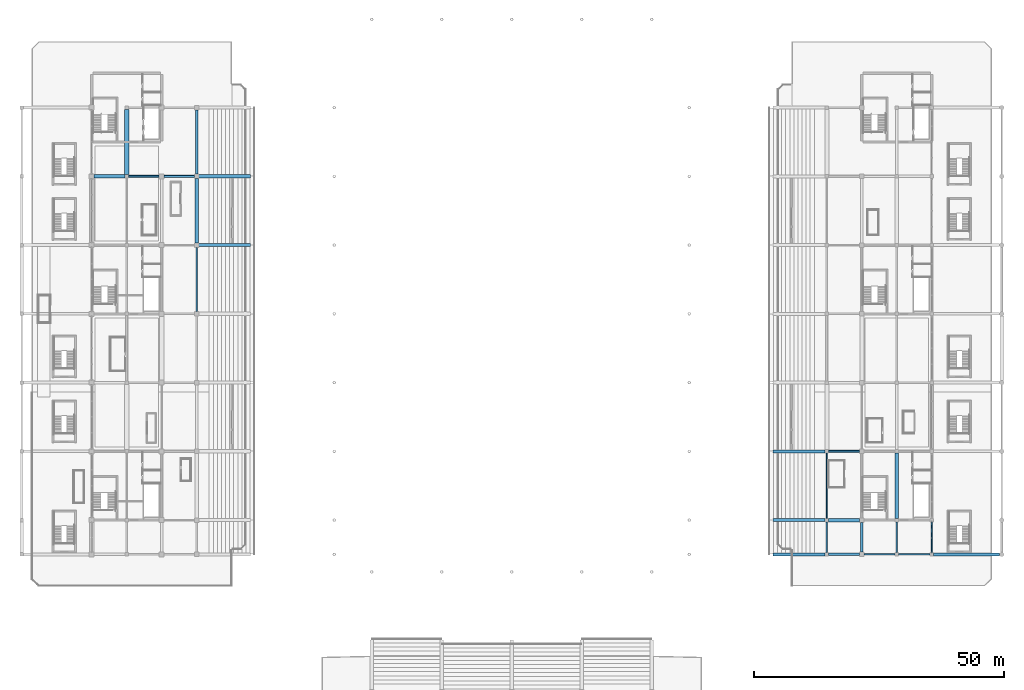
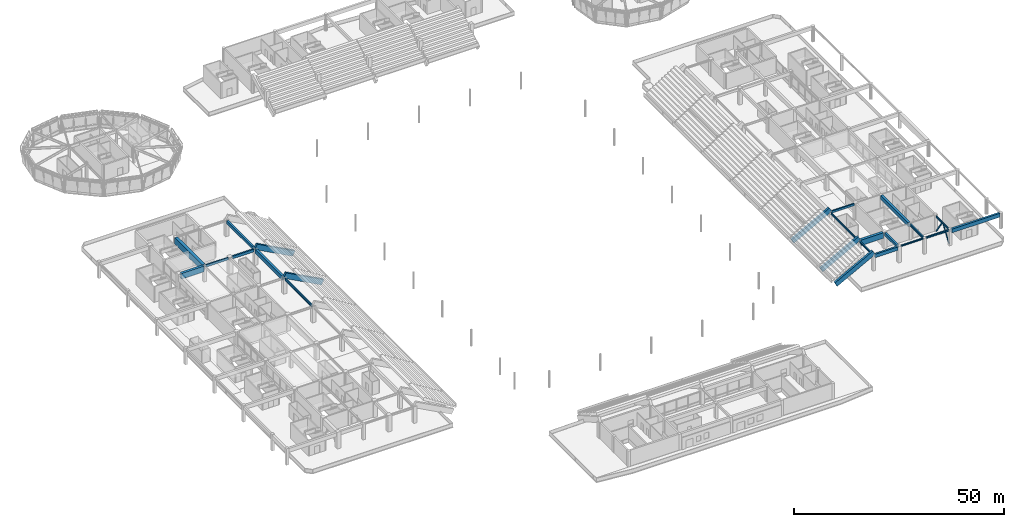
# One storey, part 32 of 94: 24 beams, 2 members.
"""IFC4 building model written with IfcOpenShell, lengths in metres."""

from ifc_helpers import new_model, si_unit, direction, frame, origin, origin_2d, place, context, subcontext, project, spatial, rectangle, hollow_rectangle, i_section, extrude, material, material_profile, profile_set, type_object, element, save


model = new_model("IFC4")

# Units and contexts
model_context = context("Model", 3, precision=1e-05, world=origin(), true_north=direction((0.0, 1.0)))
body_context = subcontext(model_context, "Body", "Model", "MODEL_VIEW")
ifc_project = project(units=[si_unit("LENGTHUNIT", "METRE"), si_unit("AREAUNIT", "SQUARE_METRE"), si_unit("VOLUMEUNIT", "CUBIC_METRE"), si_unit("PLANEANGLEUNIT", "RADIAN"), si_unit("MASSUNIT", "GRAM", prefix="KILO")], contexts=[model_context])

# Site, building, storey
site_placement = place(None, origin())
site = spatial("IfcSite", under=ifc_project, at=site_placement, CompositionType="ELEMENT")
building_placement = place(site_placement, origin())
building = spatial("IfcBuilding", under=site, at=building_placement, Name="Linyun Crest Stadium", CompositionType="ELEMENT")
storey_placement = place(building_placement, frame((0.0, 0.0, 16.199951171875)))
storey = spatial("IfcBuildingStorey", under=building, at=storey_placement, Name="L04", CompositionType="ELEMENT", Elevation=16.199951171875)

# Beams
ifc_material_1 = material(Name="Concrete C40", Category="concrete")
ifc_material_profile_1 = material_profile(ifc_material_1, rectangle(XDim=0.35009765625, YDim=0.60009765625, at=origin_2d()), Name="RCB 600x350")
ifc_profile_set_1 = profile_set([ifc_material_profile_1], Name="Concrete C40")
beam_type_1 = type_object("IfcBeamType", Name="B01", PredefinedType="BEAM", material=ifc_profile_set_1)
beam_1_placement = place(storey_placement, frame((-76.64990234375, 29.625, 4.300048828125), z_axis=(1.0, 0.0, 0.0), x_axis=(0.0, 1.0, 0.0)))
element("IfcBeam", 1, at=beam_1_placement, inside=storey, type_object=beam_type_1, Name="Frame beam B01 L04 315", PredefinedType="BEAM", context=body_context, shape_type="SweptSolid", body=[
    extrude(rectangle(XDim=0.35009765625, YDim=0.60009765625, at=origin_2d()), origin(), (0.0, 0.0, 1.0), 6.14990234375),
])
beam_2_placement = place(storey_placement, frame((63.35009765625, -25.375, 4.300048828125), z_axis=(1.0, 0.0, 0.0), x_axis=(0.0, 1.0, 0.0)))
element("IfcBeam", 2, at=beam_2_placement, inside=storey, type_object=beam_type_1, Name="Frame beam B01 L04 683", PredefinedType="BEAM", context=body_context, shape_type="SweptSolid", body=[
    extrude(rectangle(XDim=0.35009765625, YDim=0.60009765625, at=origin_2d()), origin(), (0.0, 0.0, 1.0), 6.199951171875),
])
ifc_material_2 = material(Name="Concrete C40", Category="concrete")
ifc_material_profile_2 = material_profile(ifc_material_2, rectangle(XDim=0.39990234375, YDim=0.75, at=origin_2d()), Name="RCB 750x400")
ifc_profile_set_2 = profile_set([ifc_material_profile_2], Name="Concrete C40")
beam_type_2 = type_object("IfcBeamType", Name="B03", PredefinedType="BEAM", material=ifc_profile_set_2)
beam_3_placement = place(storey_placement, frame((-69.5, 29.625, 4.22509765625), z_axis=(1.0, 0.0, 0.0), x_axis=(0.0, 1.0, 0.0)))
element("IfcBeam", 3, at=beam_3_placement, inside=storey, type_object=beam_type_2, Name="Frame beam B03 L04 316", PredefinedType="BEAM", context=body_context, shape_type="SweptSolid", body=[
    extrude(rectangle(XDim=0.39990234375, YDim=0.75, at=origin_2d()), origin(), (0.0, 0.0, 1.0), 6.050048828125),
])
ifc_material_3 = material(Name="Concrete C40", Category="concrete")
ifc_material_profile_3 = material_profile(ifc_material_3, rectangle(XDim=0.449951171875, YDim=0.85009765625, at=origin_2d()), Name="RCB 850x450")
ifc_profile_set_3 = profile_set([ifc_material_profile_3], Name="Concrete C40")
beam_type_3 = type_object("IfcBeamType", Name="B04", PredefinedType="BEAM", material=ifc_profile_set_3)
beam_4_placement = place(storey_placement, frame((-63.0, 30.074951171875, 4.175048828125), z_axis=(0.0, 1.0, 0.0), x_axis=(-1.0, 0.0, 0.0)))
element("IfcBeam", 4, at=beam_4_placement, inside=storey, type_object=beam_type_3, Name="Frame beam B04 L04 348", PredefinedType="BEAM", context=body_context, shape_type="SweptSolid", body=[
    extrude(rectangle(XDim=0.449951171875, YDim=0.85009765625, at=origin_2d()), origin(), (0.0, 0.0, 1.0), 12.85009765625),
])
beam_5_placement = place(storey_placement, frame((70.0, -45.550048828125, 4.175048828125), z_axis=(0.0, 1.0, 0.0), x_axis=(-1.0, 0.0, 0.0)))
element("IfcBeam", 5, at=beam_5_placement, inside=storey, type_object=beam_type_3, Name="Frame beam B04 L04 706", PredefinedType="BEAM", context=body_context, shape_type="SweptSolid", body=[
    extrude(rectangle(XDim=0.449951171875, YDim=0.85009765625, at=origin_2d()), origin(), (0.0, 0.0, 1.0), 5.97509765625),
])
ifc_material_4 = material(Name="Concrete C40", Category="concrete")
ifc_material_profile_4 = material_profile(ifc_material_4, rectangle(XDim=0.5, YDim=1.0, at=origin_2d()), Name="RCB 1000x500")
ifc_profile_set_4 = profile_set([ifc_material_profile_4], Name="Concrete C40")
beam_type_4 = type_object("IfcBeamType", Name="B05", PredefinedType="BEAM", material=ifc_profile_set_4)
beam_6_placement = place(storey_placement, frame((63.35009765625, -46.0, 4.10009765625), z_axis=(1.0, 0.0, 0.0), x_axis=(0.0, 1.0, 0.0)))
element("IfcBeam", 6, at=beam_6_placement, inside=storey, type_object=beam_type_4, Name="Frame beam B05 L04 678", PredefinedType="BEAM", context=body_context, shape_type="SweptSolid", body=[
    extrude(rectangle(XDim=0.5, YDim=1.0, at=origin_2d()), origin(), (0.0, 0.0, 1.0), 6.199951171875),
])
ifc_material_5 = material(Name="Steel Q355C", Category="steel")
ifc_material_profile_5 = material_profile(ifc_material_5, i_section(OverallWidth=0.300048828125, OverallDepth=0.389892578125, WebThickness=0.010009765625, FlangeThickness=0.01611328125, at=origin_2d()), Name="HM 390x300")
ifc_profile_set_5 = profile_set([ifc_material_profile_5], Name="Steel Q355C")
beam_type_5 = type_object("IfcBeamType", Name="B06", PredefinedType="BEAM", material=ifc_profile_set_5)
beam_7_placement = place(storey_placement, frame((70.449951171875, -46.0, 4.405029296875), z_axis=(1.0, 0.0, 0.0), x_axis=(0.0, 1.0, 0.0)))
element("IfcBeam", 7, at=beam_7_placement, inside=storey, type_object=beam_type_5, Name="Frame beam B06 L04 679", PredefinedType="BEAM", context=body_context, shape_type="SweptSolid", body=[
    extrude(i_section(OverallWidth=0.300048828125, OverallDepth=0.389892578125, WebThickness=0.010009765625, FlangeThickness=0.01611328125, at=origin_2d()), origin(), (0.0, 0.0, 1.0), 6.199951171875),
])
ifc_material_6 = material(Name="Steel Q355C", Category="steel")
ifc_material_profile_6 = material_profile(ifc_material_6, i_section(OverallWidth=0.300048828125, OverallDepth=0.43994140625, WebThickness=0.010986328125, FlangeThickness=0.01806640625, at=origin_2d()), Name="HM 440x300")
ifc_profile_set_6 = profile_set([ifc_material_profile_6], Name="Steel Q355C")
beam_type_6 = type_object("IfcBeamType", Name="B07", PredefinedType="BEAM", material=ifc_profile_set_6)
beam_8_placement = place(storey_placement, frame((63.0, -45.64990234375, 4.380126953125), z_axis=(0.0, 1.0, 0.0), x_axis=(-1.0, 0.0, 0.0)))
element("IfcBeam", 8, at=beam_8_placement, inside=storey, type_object=beam_type_6, Name="Frame beam B07 L04 699", PredefinedType="BEAM", context=body_context, shape_type="SweptSolid", body=[
    extrude(i_section(OverallWidth=0.300048828125, OverallDepth=0.43994140625, WebThickness=0.010986328125, FlangeThickness=0.01806640625, at=origin_2d()), origin(), (0.0, 0.0, 1.0), 6.1748046875),
])
ifc_material_7 = material(Name="Steel Q355C", Category="steel")
ifc_material_profile_7 = material_profile(ifc_material_7, i_section(OverallWidth=0.300048828125, OverallDepth=0.488037109375, WebThickness=0.010986328125, FlangeThickness=0.01806640625, at=origin_2d()), Name="HM 488x300")
ifc_profile_set_7 = profile_set([ifc_material_profile_7], Name="Steel Q355C")
beam_type_7 = type_object("IfcBeamType", Name="B08", PredefinedType="BEAM", material=ifc_profile_set_7)
beam_9_placement = place(storey_placement, frame((77.35009765625, -46.0, 4.35595703125), z_axis=(1.0, 0.0, 0.0), x_axis=(0.0, 1.0, 0.0)))
element("IfcBeam", 9, at=beam_9_placement, inside=storey, type_object=beam_type_7, Name="Frame beam B08 L04 680", PredefinedType="BEAM", context=body_context, shape_type="SweptSolid", body=[
    extrude(i_section(OverallWidth=0.300048828125, OverallDepth=0.488037109375, WebThickness=0.010986328125, FlangeThickness=0.01806640625, at=origin_2d()), origin(), (0.0, 0.0, 1.0), 6.2998046875),
])
ifc_material_8 = material(Name="Steel Q355C", Category="steel")
ifc_material_profile_8 = material_profile(ifc_material_8, i_section(OverallWidth=0.199951171875, OverallDepth=0.60009765625, WebThickness=0.010986328125, FlangeThickness=0.01708984375, at=origin_2d()), Name="HN 600x200")
ifc_profile_set_8 = profile_set([ifc_material_profile_8], Name="Steel Q355C")
beam_type_8 = type_object("IfcBeamType", Name="B11", PredefinedType="BEAM", material=ifc_profile_set_8)
beam_10_placement = place(storey_placement, frame((63.0, -38.77490234375, 4.300048828125), z_axis=(0.0, 1.0, 0.0), x_axis=(-1.0, 0.0, 0.0)))
element("IfcBeam", 10, at=beam_10_placement, inside=storey, type_object=beam_type_8, Name="Frame beam B11 L04 700", PredefinedType="BEAM", context=body_context, shape_type="SweptSolid", body=[
    extrude(i_section(OverallWidth=0.199951171875, OverallDepth=0.60009765625, WebThickness=0.010986328125, FlangeThickness=0.01708984375, at=origin_2d()), origin(), (0.0, 0.0, 1.0), 13.0498046875),
])
beam_11_placement = place(storey_placement, frame((84.0, -45.64990234375, 4.300048828125), z_axis=(0.0, 1.0, 0.0), x_axis=(-1.0, 0.0, 0.0)))
element("IfcBeam", 11, at=beam_11_placement, inside=storey, type_object=beam_type_8, Name="Frame beam B11 L04 717", PredefinedType="BEAM", context=body_context, shape_type="SweptSolid", body=[
    extrude(i_section(OverallWidth=0.199951171875, OverallDepth=0.60009765625, WebThickness=0.010986328125, FlangeThickness=0.01708984375, at=origin_2d()), origin(), (0.0, 0.0, 1.0), 6.1748046875),
])
ifc_material_9 = material(Name="Steel Q355C", Category="steel")
ifc_material_profile_9 = material_profile(ifc_material_9, i_section(OverallWidth=0.300048828125, OverallDepth=0.699951171875, WebThickness=0.012939453125, FlangeThickness=0.02392578125, at=origin_2d()), Name="HN 700x300")
ifc_profile_set_9 = profile_set([ifc_material_profile_9], Name="Steel Q355C")
beam_type_9 = type_object("IfcBeamType", Name="B12", PredefinedType="BEAM", material=ifc_profile_set_9)
beam_12_placement = place(storey_placement, frame((-63.0, 2.574951171875, 4.25), z_axis=(0.0, 1.0, 0.0), x_axis=(-1.0, 0.0, 0.0)))
element("IfcBeam", 12, at=beam_12_placement, inside=storey, type_object=beam_type_9, Name="Frame beam B12 L04 346", PredefinedType="BEAM", context=body_context, shape_type="SweptSolid", body=[
    extrude(i_section(OverallWidth=0.300048828125, OverallDepth=0.699951171875, WebThickness=0.012939453125, FlangeThickness=0.02392578125, at=origin_2d()), origin(), (0.0, 0.0, 1.0), 12.85009765625),
])
beam_13_placement = place(storey_placement, frame((77.0, -45.64990234375, 4.25), z_axis=(0.0, 1.0, 0.0), x_axis=(-1.0, 0.0, 0.0)))
element("IfcBeam", 13, at=beam_13_placement, inside=storey, type_object=beam_type_9, Name="Frame beam B12 L04 710", PredefinedType="BEAM", context=body_context, shape_type="SweptSolid", body=[
    extrude(i_section(OverallWidth=0.300048828125, OverallDepth=0.699951171875, WebThickness=0.012939453125, FlangeThickness=0.02392578125, at=origin_2d()), origin(), (0.0, 0.0, 1.0), 6.1748046875),
])
ifc_material_10 = material(Name="Concrete C50", Category="concrete")
ifc_material_profile_10 = material_profile(ifc_material_10, rectangle(XDim=0.699951171875, YDim=1.60009765625, at=origin_2d()), Name="RCB 1600x700")
ifc_profile_set_10 = profile_set([ifc_material_profile_10], Name="Concrete C50")
beam_type_10 = type_object("IfcBeamType", Name="B13", PredefinedType="BEAM", material=ifc_profile_set_10)
beam_14_placement = place(storey_placement, frame((-83.5, 29.625, 3.800048828125), z_axis=(1.0, 0.0, 0.0), x_axis=(0.0, 1.0, 0.0)))
element("IfcBeam", 14, at=beam_14_placement, inside=storey, type_object=beam_type_10, Name="Frame beam B13 L04 314", PredefinedType="BEAM", context=body_context, shape_type="SweptSolid", body=[
    extrude(rectangle(XDim=0.699951171875, YDim=1.60009765625, at=origin_2d()), origin(), (0.0, 0.0, 1.0), 6.14990234375),
])
beam_15_placement = place(storey_placement, frame((63.35009765625, -39.125, 3.800048828125), z_axis=(1.0, 0.0, 0.0), x_axis=(0.0, 1.0, 0.0)))
element("IfcBeam", 15, at=beam_15_placement, inside=storey, type_object=beam_type_10, Name="Frame beam B13 L04 682", PredefinedType="BEAM", context=body_context, shape_type="SweptSolid", body=[
    extrude(rectangle(XDim=0.699951171875, YDim=1.60009765625, at=origin_2d()), origin(), (0.0, 0.0, 1.0), 6.199951171875),
])
ifc_material_11 = material(Name="Concrete C50", Category="concrete")
ifc_material_profile_11 = material_profile(ifc_material_11, rectangle(XDim=0.800048828125, YDim=1.800048828125, at=origin_2d()), Name="RCB 1800x800")
ifc_profile_set_11 = profile_set([ifc_material_profile_11], Name="Concrete C50")
beam_type_11 = type_object("IfcBeamType", Name="B14", PredefinedType="BEAM", material=ifc_profile_set_11)
beam_16_placement = place(storey_placement, frame((-77.0, 29.97509765625, 3.699951171875), z_axis=(0.0, 1.0, 0.0), x_axis=(-1.0, 0.0, 0.0)))
element("IfcBeam", 16, at=beam_16_placement, inside=storey, type_object=beam_type_11, Name="Frame beam B14 L04 337", PredefinedType="BEAM", context=body_context, shape_type="SweptSolid", body=[
    extrude(rectangle(XDim=0.800048828125, YDim=1.800048828125, at=origin_2d()), origin(), (0.0, 0.0, 1.0), 13.0498046875),
])

# Members
ifc_material_12 = material(Name="Steel Q355C", Category="steel")
ifc_material_profile_12 = material_profile(ifc_material_12, hollow_rectangle(XDim=0.199951171875, YDim=0.300048828125, WallThickness=0.011962890625, at=origin_2d()), Name="RHS 300x200x12")
ifc_profile_set_12 = profile_set([ifc_material_profile_12], Name="Steel Q355C")
member_type = type_object("IfcMemberType", Name="BR03", PredefinedType="BRACE", material=ifc_profile_set_12)
member_1_placement = place(storey_placement, frame((84.0, -45.64990234375, 0.0), z_axis=(0.0, 0.562772683234, 0.826611702679), x_axis=(-1.0, 0.0, 0.0)))
element("IfcMember", 17, at=member_1_placement, inside=storey, type_object=member_type, Name="Frame brace BR03 L04 15", PredefinedType="BRACE", context=body_context, shape_type="SweptSolid", body=[
    extrude(hollow_rectangle(XDim=0.199951171875, YDim=0.300048828125, WallThickness=0.011962890625, at=origin_2d()), origin(), (0.0, 0.0, 1.0), 5.23828125),
])
member_2_placement = place(storey_placement, frame((84.0, -39.47509765625, 0.0), z_axis=(0.0, -0.562645280924, 0.826698426184), x_axis=(1.0, 0.0, 0.0)))
element("IfcMember", 18, at=member_2_placement, inside=storey, type_object=member_type, Name="Frame brace BR03 L04 16", PredefinedType="BRACE", context=body_context, shape_type="SweptSolid", body=[
    extrude(hollow_rectangle(XDim=0.199951171875, YDim=0.300048828125, WallThickness=0.011962890625, at=origin_2d()), origin(), (0.0, 0.0, 1.0), 5.23779296875),
])

# Beams
ifc_material_13 = material(Name="Precast concrete C50", Category="concrete")
ifc_material_profile_13 = material_profile(ifc_material_13, rectangle(XDim=0.60009765625, YDim=1.35009765625, at=origin_2d()), Name="PCR 1350x600")
ifc_profile_set_13 = profile_set([ifc_material_profile_13], Name="Precast concrete C50")
beam_type_12 = type_object("IfcBeamType", Name="RB03", PredefinedType="USERDEFINED", material=ifc_profile_set_13)
for number, where, z_axis, x_axis, name in (
    (19, (52.60009765625, -46.0, -0.39990234375), (0.88047441838, 0.0, 0.474093660134), (0.0, 1.0, 0.0), "Precast raker beam RB03 V2 7"),
    (20, (52.60009765625, -39.125, -0.39990234375), (0.88047441838, 0.0, 0.474093660134), (0.0, 1.0, 0.0), "Precast raker beam RB03 V2 15"),
    (21, (52.60009765625, -25.375, -0.39990234375), (0.88047441838, 0.0, 0.474093660134), (0.0, 1.0, 0.0), "Precast raker beam RB03 V2 23"),
):
    element("IfcBeam", number, at=place(storey_placement, frame(where, z_axis=z_axis, x_axis=x_axis)), inside=storey, type_object=beam_type_12, Name=name, ObjectType="RAKER", PredefinedType="USERDEFINED", context=body_context, shape_type="SweptSolid", body=[
        extrude(rectangle(XDim=0.60009765625, YDim=1.35009765625, at=origin_2d()), origin(), (0.0, 0.0, 1.0), 11.811767578125),
    ])
ifc_material_14 = material(Name="Precast concrete C50", Category="concrete")
ifc_material_profile_14 = material_profile(ifc_material_14, rectangle(XDim=0.64990234375, YDim=1.5, at=origin_2d()), Name="PCR 1500x650")
ifc_profile_set_14 = profile_set([ifc_material_profile_14], Name="Precast concrete C50")
beam_type_13 = type_object("IfcBeamType", Name="RB04", PredefinedType="USERDEFINED", material=ifc_profile_set_14)
for number, where, z_axis, x_axis, name in (
    (22, (-52.60009765625, 15.875, -0.39990234375), (-0.88047441838, 0.0, 0.474093660134), (0.0, -1.0, 0.0), "Precast raker beam RB04 V1 43"),
    (23, (-52.60009765625, 29.625, -0.39990234375), (-0.88047441838, 0.0, 0.474093660134), (0.0, -1.0, 0.0), "Precast raker beam RB04 V1 51"),
):
    element("IfcBeam", number, at=place(storey_placement, frame(where, z_axis=z_axis, x_axis=x_axis)), inside=storey, type_object=beam_type_13, Name=name, ObjectType="RAKER", PredefinedType="USERDEFINED", context=body_context, shape_type="SweptSolid", body=[
        extrude(rectangle(XDim=0.64990234375, YDim=1.5, at=origin_2d()), origin(), (0.0, 0.0, 1.0), 11.811767578125),
    ])
ifc_material_15 = material(Name="Concrete C50", Category="concrete")
ifc_material_profile_15 = material_profile(ifc_material_15, rectangle(XDim=0.550048828125, YDim=1.10009765625, at=origin_2d()), Name="RCB 1100x550")
ifc_profile_set_15 = profile_set([ifc_material_profile_15], Name="Concrete C50")
beam_type_14 = type_object("IfcBeamType", Name="TB01", PredefinedType="USERDEFINED", material=ifc_profile_set_15)
beam_17_placement = place(storey_placement, frame((84.35009765625, -46.0, 4.010009765625), z_axis=(1.0, 0.0, 0.0), x_axis=(0.0, 1.0, 0.0)))
element("IfcBeam", 24, at=beam_17_placement, inside=storey, type_object=beam_type_14, Name="Frame beam TB01 L04 681", ObjectType="GIRDER", PredefinedType="USERDEFINED", context=body_context, shape_type="SweptSolid", body=[
    extrude(rectangle(XDim=0.550048828125, YDim=1.10009765625, at=origin_2d()), origin(), (0.0, 0.0, 1.0), 13.199951171875),
])
ifc_material_16 = material(Name="Concrete C50", Category="concrete")
ifc_material_profile_16 = material_profile(ifc_material_16, rectangle(XDim=0.60009765625, YDim=1.199951171875, at=origin_2d()), Name="RCB 1200x600")
ifc_profile_set_16 = profile_set([ifc_material_profile_16], Name="Concrete C50")
beam_type_15 = type_object("IfcBeamType", Name="TB02", PredefinedType="USERDEFINED", material=ifc_profile_set_16)
beam_18_placement = place(storey_placement, frame((-63.0, 16.324951171875, 4.0), z_axis=(0.0, 1.0, 0.0), x_axis=(-1.0, 0.0, 0.0)))
element("IfcBeam", 25, at=beam_18_placement, inside=storey, type_object=beam_type_15, Name="Frame beam TB02 L04 347", ObjectType="GIRDER", PredefinedType="USERDEFINED", context=body_context, shape_type="SweptSolid", body=[
    extrude(rectangle(XDim=0.60009765625, YDim=1.199951171875, at=origin_2d()), origin(), (0.0, 0.0, 1.0), 12.85009765625),
])
beam_19_placement = place(storey_placement, frame((77.0, -38.77490234375, 4.0), z_axis=(0.0, 1.0, 0.0), x_axis=(-1.0, 0.0, 0.0)))
element("IfcBeam", 26, at=beam_19_placement, inside=storey, type_object=beam_type_15, Name="Frame beam TB02 L04 711", ObjectType="GIRDER", PredefinedType="USERDEFINED", context=body_context, shape_type="SweptSolid", body=[
    extrude(rectangle(XDim=0.60009765625, YDim=1.199951171875, at=origin_2d()), origin(), (0.0, 0.0, 1.0), 13.0498046875),
])

save(model, "model.ifc")
